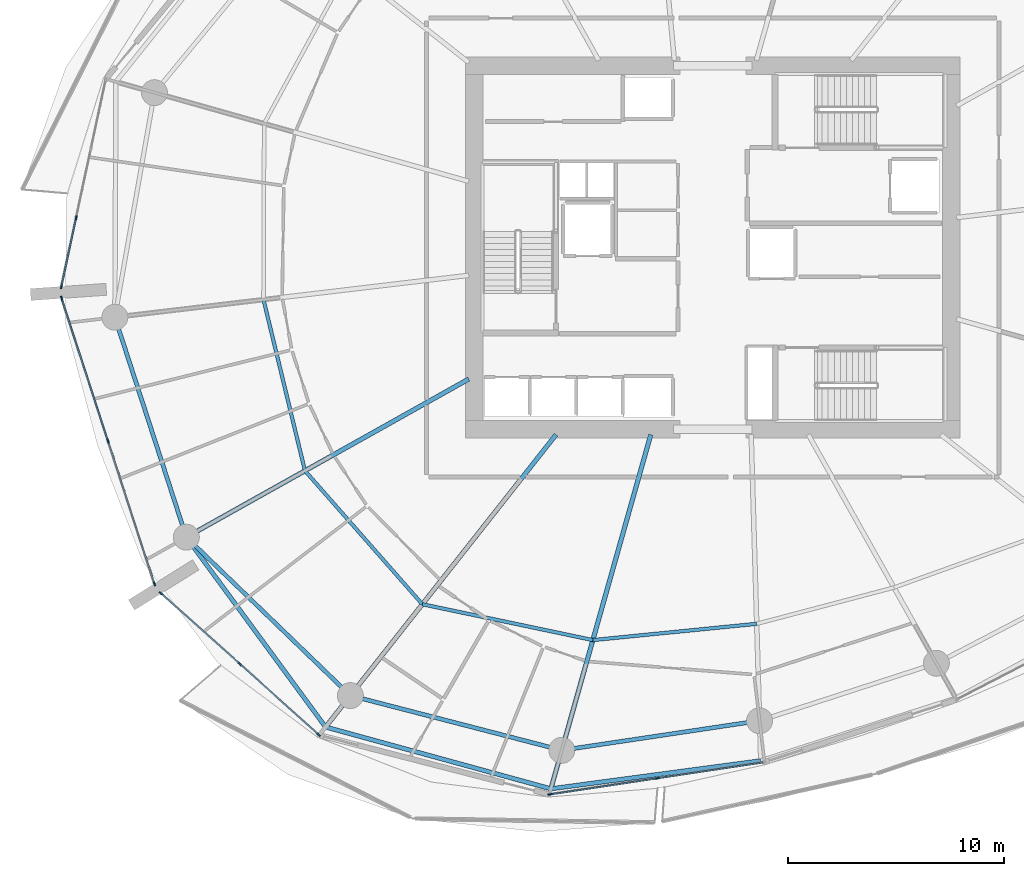
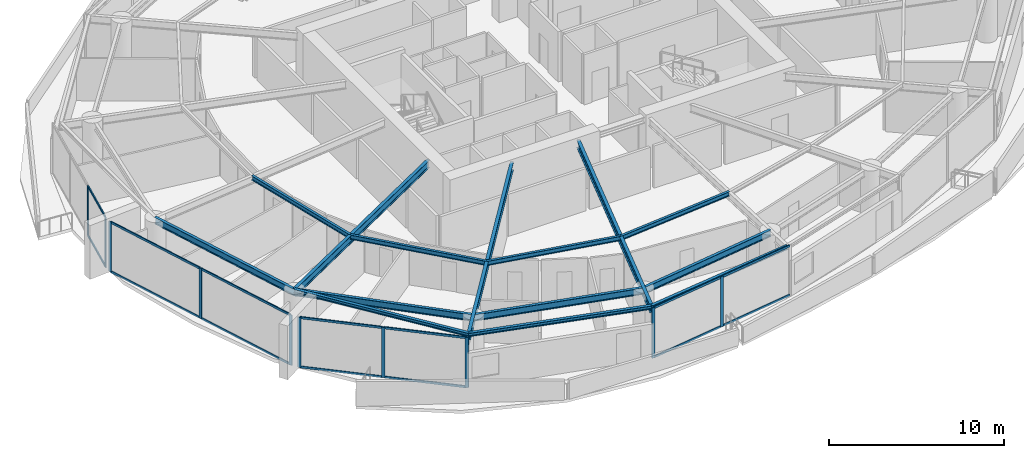
# One storey, part 5 of 22: 24 members, 14 beams, 4 elements without a shape of their own.
"""IFC4 building model written with IfcOpenShell, lengths in metres."""

from ifc_helpers import new_model, si_unit, direction, frame, origin, origin_2d, place, context, subcontext, project, spatial, rectangle, i_section, extrude, material, layer, layer_set, material_profile, profile_set, type_object, element, aggregate, save


model = new_model("IFC4")

# Units and contexts
model_context = context("Model", 3, precision=1e-05, world=origin(), true_north=direction((0.0, 1.0)))
body_context = subcontext(model_context, "Body", "Model", "MODEL_VIEW")
ifc_project = project(units=[si_unit("LENGTHUNIT", "METRE"), si_unit("AREAUNIT", "SQUARE_METRE"), si_unit("VOLUMEUNIT", "CUBIC_METRE"), si_unit("PLANEANGLEUNIT", "RADIAN"), si_unit("MASSUNIT", "GRAM", prefix="KILO")], contexts=[model_context])

# Site, building, storey
site_placement = place(None, origin())
site = spatial("IfcSite", under=ifc_project, at=site_placement, CompositionType="ELEMENT")
building_placement = place(site_placement, origin())
building = spatial("IfcBuilding", under=site, at=building_placement, Name="Kazma Halo Residences", CompositionType="ELEMENT")
storey_placement = place(building_placement, frame((0.0, 0.0, 93.89990234375)))
storey = spatial("IfcBuildingStorey", under=building, at=storey_placement, Name="L23", CompositionType="ELEMENT", Elevation=93.89990234375)

# Beams
ifc_material_1 = material(Name="Steel S355", Category="steel")
ifc_material_profile_1 = material_profile(ifc_material_1, i_section(OverallWidth=0.201904296875, OverallDepth=0.2470703125, WebThickness=0.00732421875, FlangeThickness=0.010986328125, FilletRadius=0.011962890625, at=origin_2d()), Name="W250x49.1")
ifc_profile_set_1 = profile_set([ifc_material_profile_1], Name="Steel S355")
beam_type_1 = type_object("IfcBeamType", Name="BM-BAL-CANT", PredefinedType="BEAM", material=ifc_profile_set_1)
beam_1_placement = place(storey_placement, frame((24.0966796875, 28.613525390625, 3.376708984375), z_axis=(0.59144927253, -0.806342209005, 0.0), x_axis=(0.806342209005, 0.59144927253, 0.0)))
element("IfcBeam", 1, at=beam_1_placement, inside=storey, type_object=beam_type_1, Name="L23 wave-balcony lead tie beam 09", PredefinedType="BEAM", context=body_context, shape_type="SweptSolid", body=[
    extrude(i_section(OverallWidth=0.201904296875, OverallDepth=0.2470703125, WebThickness=0.00732421875, FlangeThickness=0.010986328125, FilletRadius=0.011962890625, at=origin_2d()), origin(), (0.0, 0.0, 1.0), 10.87939453125),
])
beam_2_placement = place(storey_placement, frame((30.53125, 19.841064453125, 3.376708984375), z_axis=(0.964396617, -0.264460139, 0.0), x_axis=(0.264460139, 0.964396617, 0.0)))
element("IfcBeam", 2, at=beam_2_placement, inside=storey, type_object=beam_type_1, Name="L23 wave-balcony tie beam 10", PredefinedType="BEAM", context=body_context, shape_type="SweptSolid", body=[
    extrude(i_section(OverallWidth=0.201904296875, OverallDepth=0.2470703125, WebThickness=0.00732421875, FlangeThickness=0.010986328125, FilletRadius=0.011962890625, at=origin_2d()), origin(), (0.0, 0.0, 1.0), 10.79833984375),
])
beam_3_placement = place(storey_placement, frame((40.945068359375, 16.9853515625, 3.376708984375), z_axis=(0.991182511795, 0.13250369169, 0.0), x_axis=(-0.13250369169, 0.991182511795, 0.0)))
element("IfcBeam", 3, at=beam_3_placement, inside=storey, type_object=beam_type_1, Name="L23 wave-balcony tie beam 11", PredefinedType="BEAM", context=body_context, shape_type="SweptSolid", body=[
    extrude(i_section(OverallWidth=0.201904296875, OverallDepth=0.2470703125, WebThickness=0.00732421875, FlangeThickness=0.010986328125, FilletRadius=0.011962890625, at=origin_2d()), origin(), (0.0, 0.0, 1.0), 9.78369140625),
])
ifc_material_profile_2 = material_profile(ifc_material_1, i_section(OverallWidth=0.208984375, OverallDepth=0.532958984375, WebThickness=0.01025390625, FlangeThickness=0.015625, FilletRadius=0.01611328125, at=origin_2d()), Name="W530x92")
ifc_profile_set_2 = profile_set([ifc_material_profile_2], Name="Steel S355")
beam_type_2 = type_object("IfcBeamType", Name="BM-RAD-W530", PredefinedType="BEAM", material=ifc_profile_set_2)
beam_4_placement = place(storey_placement, frame((37.14990234375, 35.923583984375, 3.233642578125), z_axis=(-0.87249878074, -0.488616288724, 0.0), x_axis=(0.488616288724, -0.87249878074, 0.0)))
element("IfcBeam", 4, at=beam_4_placement, inside=storey, type_object=beam_type_2, Name="L23 radial floor beam 09", PredefinedType="BEAM", context=body_context, shape_type="SweptSolid", body=[
    extrude(i_section(OverallWidth=0.208984375, OverallDepth=0.532958984375, WebThickness=0.01025390625, FlangeThickness=0.015625, FilletRadius=0.01611328125, at=origin_2d()), origin(), (0.0, 0.0, 1.0), 14.960693359375),
])
beam_5_placement = place(storey_placement, frame((41.180908203125, 33.35009765625, 3.233642578125), z_axis=(-0.619093774822, -0.785317068436, 0.0), x_axis=(0.785317068436, -0.619093774822, 0.0)))
element("IfcBeam", 5, at=beam_5_placement, inside=storey, type_object=beam_type_2, Name="L23 radial floor beam 10", PredefinedType="BEAM", context=body_context, shape_type="SweptSolid", body=[
    extrude(i_section(OverallWidth=0.208984375, OverallDepth=0.532958984375, WebThickness=0.01025390625, FlangeThickness=0.015625, FilletRadius=0.01611328125, at=origin_2d()), origin(), (0.0, 0.0, 1.0), 17.201904296875),
])
beam_6_placement = place(storey_placement, frame((45.560302734375, 33.35009765625, 3.233642578125), z_axis=(-0.271434928076, -0.962456793742, 0.0), x_axis=(0.962456793742, -0.271434928076, 0.0)))
element("IfcBeam", 6, at=beam_6_placement, inside=storey, type_object=beam_type_2, Name="L23 radial floor beam 11", PredefinedType="BEAM", context=body_context, shape_type="SweptSolid", body=[
    extrude(i_section(OverallWidth=0.208984375, OverallDepth=0.532958984375, WebThickness=0.01025390625, FlangeThickness=0.015625, FilletRadius=0.01611328125, at=origin_2d()), origin(), (0.0, 0.0, 1.0), 17.003173828125),
])
ifc_material_profile_3 = material_profile(ifc_material_1, i_section(OverallWidth=0.1650390625, OverallDepth=0.31005859375, WebThickness=0.005859375, FlangeThickness=0.009765625, FilletRadius=0.011962890625, at=origin_2d()), Name="W310x38.7")
ifc_profile_set_3 = profile_set([ifc_material_profile_3], Name="Steel S355")
beam_type_3 = type_object("IfcBeamType", Name="BM-SEC-W310B", PredefinedType="JOIST", material=ifc_profile_set_3)
beam_7_placement = place(storey_placement, frame((27.6630859375, 39.593017578125, 3.34521484375), z_axis=(0.235442033286, -0.971888393264, 0.0), x_axis=(0.971888393264, 0.235442033286, 0.0)))
element("IfcBeam", 7, at=beam_7_placement, inside=storey, type_object=beam_type_3, Name="L23 circumferential floor joist 08", PredefinedType="JOIST", context=body_context, shape_type="SweptSolid", body=[
    extrude(i_section(OverallWidth=0.1650390625, OverallDepth=0.31005859375, WebThickness=0.005859375, FlangeThickness=0.009765625, FilletRadius=0.011962890625, at=origin_2d()), origin(), (0.0, 0.0, 1.0), 8.137939453125),
])
beam_8_placement = place(storey_placement, frame((29.5791015625, 31.683837890625, 3.34521484375), z_axis=(0.660379309564, -0.750932199003, 0.0), x_axis=(0.750932199003, 0.660379309564, 0.0)))
element("IfcBeam", 8, at=beam_8_placement, inside=storey, type_object=beam_type_3, Name="L23 circumferential floor joist 09", PredefinedType="JOIST", context=body_context, shape_type="SweptSolid", body=[
    extrude(i_section(OverallWidth=0.1650390625, OverallDepth=0.31005859375, WebThickness=0.005859375, FlangeThickness=0.009765625, FilletRadius=0.011962890625, at=origin_2d()), origin(), (0.0, 0.0, 1.0), 8.215087890625),
])
beam_9_placement = place(storey_placement, frame((35.004150390625, 25.514892578125, 3.34521484375), z_axis=(0.978607976751, -0.205733876255, 0.0), x_axis=(0.205733876255, 0.978607976751, 0.0)))
element("IfcBeam", 9, at=beam_9_placement, inside=storey, type_object=beam_type_3, Name="L23 circumferential floor joist 10", PredefinedType="JOIST", context=body_context, shape_type="SweptSolid", body=[
    extrude(i_section(OverallWidth=0.1650390625, OverallDepth=0.31005859375, WebThickness=0.005859375, FlangeThickness=0.009765625, FilletRadius=0.011962890625, at=origin_2d()), origin(), (0.0, 0.0, 1.0), 8.051513671875),
])
beam_10_placement = place(storey_placement, frame((42.883544921875, 23.8583984375, 3.34521484375), z_axis=(0.995106821048, 0.098804932586, 0.0), x_axis=(-0.098804932586, 0.995106821048, 0.0)))
element("IfcBeam", 10, at=beam_10_placement, inside=storey, type_object=beam_type_3, Name="L23 circumferential floor joist 11", PredefinedType="JOIST", context=body_context, shape_type="SweptSolid", body=[
    extrude(i_section(OverallWidth=0.1650390625, OverallDepth=0.31005859375, WebThickness=0.005859375, FlangeThickness=0.009765625, FilletRadius=0.011962890625, at=origin_2d()), origin(), (0.0, 0.0, 1.0), 7.610595703125),
])
ifc_material_profile_4 = material_profile(ifc_material_1, i_section(OverallWidth=0.18994140625, OverallDepth=0.45703125, WebThickness=0.009033203125, FlangeThickness=0.014404296875, FilletRadius=0.01611328125, at=origin_2d()), Name="W460x74")
ifc_profile_set_4 = profile_set([ifc_material_profile_4], Name="Steel S355")
beam_type_4 = type_object("IfcBeamType", Name="BM-SPN-W460", PredefinedType="BEAM", material=ifc_profile_set_4)
beam_11_placement = place(storey_placement, frame((20.79345703125, 38.77978515625, 3.271484375), z_axis=(0.309017385422, -0.951056389236, 0.0), x_axis=(0.951056389236, 0.309017385422, 0.0)))
element("IfcBeam", 11, at=beam_11_placement, inside=storey, type_object=beam_type_4, Name="L23 perimeter ring beam 08", PredefinedType="BEAM", context=body_context, shape_type="SweptSolid", body=[
    extrude(i_section(OverallWidth=0.18994140625, OverallDepth=0.45703125, WebThickness=0.009033203125, FlangeThickness=0.014404296875, FilletRadius=0.01611328125, at=origin_2d()), origin(), (0.0, 0.0, 1.0), 10.689453125),
])
beam_12_placement = place(storey_placement, frame((24.0966796875, 28.613525390625, 3.271484375), z_axis=(0.719336783114, -0.694661494873, 0.0), x_axis=(0.694661494873, 0.719336783114, 0.0)))
element("IfcBeam", 12, at=beam_12_placement, inside=storey, type_object=beam_type_4, Name="L23 perimeter ring beam 09", PredefinedType="BEAM", context=body_context, shape_type="SweptSolid", body=[
    extrude(i_section(OverallWidth=0.18994140625, OverallDepth=0.45703125, WebThickness=0.009033203125, FlangeThickness=0.014404296875, FilletRadius=0.01611328125, at=origin_2d()), origin(), (0.0, 0.0, 1.0), 10.537353515625),
])
beam_13_placement = place(storey_placement, frame((31.676513671875, 21.293701171875, 3.271484375), z_axis=(0.968124968683, -0.250467652626, 0.0), x_axis=(0.250467652626, 0.968124968683, 0.0)))
element("IfcBeam", 13, at=beam_13_placement, inside=storey, type_object=beam_type_4, Name="L23 perimeter ring beam 10", PredefinedType="BEAM", context=body_context, shape_type="SweptSolid", body=[
    extrude(i_section(OverallWidth=0.18994140625, OverallDepth=0.45703125, WebThickness=0.009033203125, FlangeThickness=0.014404296875, FilletRadius=0.01611328125, at=origin_2d()), origin(), (0.0, 0.0, 1.0), 10.092529296875),
])
beam_14_placement = place(storey_placement, frame((41.447265625, 18.765869140625, 3.271484375), z_axis=(0.989034176303, 0.147686824414, 0.0), x_axis=(-0.147686824414, 0.989034176303, 0.0)))
element("IfcBeam", 14, at=beam_14_placement, inside=storey, type_object=beam_type_4, Name="L23 perimeter ring beam 11", PredefinedType="BEAM", context=body_context, shape_type="SweptSolid", body=[
    extrude(i_section(OverallWidth=0.18994140625, OverallDepth=0.45703125, WebThickness=0.009033203125, FlangeThickness=0.014404296875, FilletRadius=0.01611328125, at=origin_2d()), origin(), (0.0, 0.0, 1.0), 9.242431640625),
])

# Curtain wall, members
ifc_material_2 = material(Name="Aluminium AW-6063 T6 and Triple-Silver Low-E Glass", Category="aluminium")
ifc_layer = layer(ifc_material_2, 0.199951171875)
ifc_layer_set = layer_set([ifc_layer], Name="Aluminium AW-6063 T6 and Triple-Silver Low-E Glass")
curtain_wall_type = type_object("IfcCurtainWallType", Name="CW-SYS-3", PredefinedType="NOTDEFINED", material=ifc_layer_set)
curtain_wall_1_placement = place(storey_placement, origin())
curtain_wall_1 = element("IfcCurtainWall", 15, at=curtain_wall_1_placement, inside=storey, type_object=curtain_wall_type, Name="L23 unitised curtain wall B07", PredefinedType="NOTDEFINED")
ifc_material_3 = material(Name="Aluminium AW-6063 T6", Category="aluminium")
ifc_material_profile_5 = material_profile(ifc_material_3, rectangle(XDim=0.070068359375, YDim=0.199951171875, at=origin_2d()), Name="CWM-70x200")
ifc_profile_set_5 = profile_set([ifc_material_profile_5], Name="Aluminium AW-6063 T6")
member_type_1 = type_object("IfcMemberType", Name="CW-SYS-3-MUL", PredefinedType="MULLION", material=ifc_profile_set_5)
member_1_placement = place(storey_placement, frame((19.004638671875, 43.36865234375, 0.0), z_axis=(0.0, 0.0, 1.0), x_axis=(0.977774176093, -0.209660822677, 0.0)))
member_1 = element("IfcMember", 16, at=member_1_placement, type_object=member_type_1, Name="CWS-3 mullion 3", PredefinedType="MULLION", context=body_context, shape_type="SweptSolid", body=[
    extrude(rectangle(XDim=0.070068359375, YDim=0.199951171875, at=origin_2d()), origin(), (0.0, 0.0, 1.0), 3.5),
])
member_2_placement = place(storey_placement, frame((18.323486328125, 40.192626953125, 0.0), z_axis=(0.0, 0.0, 1.0), x_axis=(0.977774176093, -0.209660822677, 0.0)))
member_2 = element("IfcMember", 17, at=member_2_placement, type_object=member_type_1, Name="CWS-3 mullion 4", PredefinedType="MULLION", context=body_context, shape_type="SweptSolid", body=[
    extrude(rectangle(XDim=0.070068359375, YDim=0.199951171875, at=origin_2d()), origin(), (0.0, 0.0, 1.0), 3.5),
])

curtain_wall_2_placement = place(storey_placement, origin())
curtain_wall_2 = element("IfcCurtainWall", 18, at=curtain_wall_2_placement, inside=storey, type_object=curtain_wall_type, Name="L23 unitised curtain wall B08", PredefinedType="NOTDEFINED")
member_3_placement = place(storey_placement, frame((18.334716796875, 39.6572265625, 0.0), z_axis=(0.0, 0.0, 1.0), x_axis=(0.951057722508, 0.309013282008, 0.0)))
member_3 = element("IfcMember", 19, at=member_3_placement, type_object=member_type_1, Name="CWS-3 mullion 1", PredefinedType="MULLION", context=body_context, shape_type="SweptSolid", body=[
    extrude(rectangle(XDim=0.070068359375, YDim=0.199951171875, at=origin_2d()), origin(), (0.0, 0.0, 1.0), 3.5),
])
member_4_placement = place(storey_placement, frame((20.47900390625, 33.057861328125, 0.0), z_axis=(0.0, 0.0, 1.0), x_axis=(0.951057722508, 0.309013282008, 0.0)))
member_4 = element("IfcMember", 20, at=member_4_placement, type_object=member_type_1, Name="CWS-3 mullion 2", PredefinedType="MULLION", context=body_context, shape_type="SweptSolid", body=[
    extrude(rectangle(XDim=0.070068359375, YDim=0.199951171875, at=origin_2d()), origin(), (0.0, 0.0, 1.0), 3.5),
])
member_5_placement = place(storey_placement, frame((22.623291015625, 26.45849609375, 0.0), z_axis=(0.0, 0.0, 1.0), x_axis=(0.951057722508, 0.309013282008, 0.0)))
member_5 = element("IfcMember", 21, at=member_5_placement, type_object=member_type_1, Name="CWS-3 mullion 3", PredefinedType="MULLION", context=body_context, shape_type="SweptSolid", body=[
    extrude(rectangle(XDim=0.070068359375, YDim=0.199951171875, at=origin_2d()), origin(), (0.0, 0.0, 1.0), 3.5),
])

curtain_wall_3_placement = place(storey_placement, origin())
curtain_wall_3 = element("IfcCurtainWall", 22, at=curtain_wall_3_placement, inside=storey, type_object=curtain_wall_type, Name="L23 unitised curtain wall B09", PredefinedType="NOTDEFINED")
member_6_placement = place(storey_placement, frame((22.928955078125, 26.018798828125, 0.0), z_axis=(0.0, 0.0, 1.0), x_axis=(0.667794957375, 0.744345279359, 0.0)))
member_6 = element("IfcMember", 23, at=member_6_placement, type_object=member_type_1, Name="CWS-3 mullion 1", PredefinedType="MULLION", context=body_context, shape_type="SweptSolid", body=[
    extrude(rectangle(XDim=0.070068359375, YDim=0.199951171875, at=origin_2d()), origin(), (0.0, 0.0, 1.0), 3.5),
])
member_7_placement = place(storey_placement, frame((26.568603515625, 22.75341796875, 0.0), z_axis=(0.0, 0.0, 1.0), x_axis=(0.667794957375, 0.744345279359, 0.0)))
member_7 = element("IfcMember", 24, at=member_7_placement, type_object=member_type_1, Name="CWS-3 mullion 2", PredefinedType="MULLION", context=body_context, shape_type="SweptSolid", body=[
    extrude(rectangle(XDim=0.070068359375, YDim=0.199951171875, at=origin_2d()), origin(), (0.0, 0.0, 1.0), 3.5),
])
member_8_placement = place(storey_placement, frame((30.208251953125, 19.48779296875, 0.0), z_axis=(0.0, 0.0, 1.0), x_axis=(0.667794957375, 0.744345279359, 0.0)))
member_8 = element("IfcMember", 25, at=member_8_placement, type_object=member_type_1, Name="CWS-3 mullion 3", PredefinedType="MULLION", context=body_context, shape_type="SweptSolid", body=[
    extrude(rectangle(XDim=0.070068359375, YDim=0.199951171875, at=origin_2d()), origin(), (0.0, 0.0, 1.0), 3.5),
])

curtain_wall_4_placement = place(storey_placement, origin())
curtain_wall_4 = element("IfcCurtainWall", 26, at=curtain_wall_4_placement, inside=storey, type_object=curtain_wall_type, Name="L23 unitised curtain wall B11", PredefinedType="NOTDEFINED")
member_9_placement = place(storey_placement, frame((40.90576171875, 16.728271484375, 0.0), z_axis=(0.0, 0.0, 1.0), x_axis=(-0.148717330409, 0.988879747814, 0.0)))
member_9 = element("IfcMember", 27, at=member_9_placement, type_object=member_type_1, Name="CWS-3 mullion 1", PredefinedType="MULLION", context=body_context, shape_type="SweptSolid", body=[
    extrude(rectangle(XDim=0.070068359375, YDim=0.199951171875, at=origin_2d()), origin(), (0.0, 0.0, 1.0), 3.5),
])
member_10_placement = place(storey_placement, frame((45.843017578125, 17.470703125, 0.0), z_axis=(0.0, 0.0, 1.0), x_axis=(-0.148717330409, 0.988879747814, 0.0)))
member_10 = element("IfcMember", 28, at=member_10_placement, type_object=member_type_1, Name="CWS-3 mullion 2", PredefinedType="MULLION", context=body_context, shape_type="SweptSolid", body=[
    extrude(rectangle(XDim=0.070068359375, YDim=0.199951171875, at=origin_2d()), origin(), (0.0, 0.0, 1.0), 3.5),
])

# Member
ifc_material_profile_6 = material_profile(ifc_material_3, rectangle(XDim=0.070068359375, YDim=0.14990234375, at=origin_2d()), Name="CWT-70x150")
ifc_profile_set_6 = profile_set([ifc_material_profile_6], Name="Aluminium AW-6063 T6")
member_type_2 = type_object("IfcMemberType", Name="CW-SYS-3-TRN", PredefinedType="USERDEFINED", material=ifc_profile_set_6)
member_11_placement = place(storey_placement, frame((18.997314453125, 43.33447265625, 0.03515625), z_axis=(-0.209717949017, -0.977761924939, 0.0), x_axis=(0.977761924939, -0.209717949017, 0.0)))
member_11 = element("IfcMember", 29, at=member_11_placement, type_object=member_type_2, Name="CWS-3 transom 3.1", ObjectType="TRANSOM", PredefinedType="USERDEFINED", context=body_context, shape_type="SweptSolid", body=[
    extrude(rectangle(XDim=0.070068359375, YDim=0.14990234375, at=origin_2d()), origin(), (0.0, 0.0, 1.0), 3.177978515625),
])

member_12_placement = place(storey_placement, frame((18.997314453125, 43.33447265625, 3.465087890625), z_axis=(-0.209717949017, -0.977761924939, 0.0), x_axis=(0.977761924939, -0.209717949017, 0.0)))
member_12 = element("IfcMember", 30, at=member_12_placement, type_object=member_type_2, Name="CWS-3 transom 3.2", ObjectType="TRANSOM", PredefinedType="USERDEFINED", context=body_context, shape_type="SweptSolid", body=[
    extrude(rectangle(XDim=0.070068359375, YDim=0.14990234375, at=origin_2d()), origin(), (0.0, 0.0, 1.0), 3.177978515625),
])

aggregate(curtain_wall_1, [member_1, member_2, member_11, member_12])

member_13_placement = place(storey_placement, frame((18.345458984375, 39.6240234375, 0.03515625), z_axis=(0.309000079699, -0.95106201204, 0.0), x_axis=(0.95106201204, 0.309000079699, 0.0)))
member_13 = element("IfcMember", 31, at=member_13_placement, type_object=member_type_2, Name="CWS-3 transom 1.1", ObjectType="TRANSOM", PredefinedType="USERDEFINED", context=body_context, shape_type="SweptSolid", body=[
    extrude(rectangle(XDim=0.070068359375, YDim=0.14990234375, at=origin_2d()), origin(), (0.0, 0.0, 1.0), 6.869140625),
])

member_14_placement = place(storey_placement, frame((18.345458984375, 39.6240234375, 3.465087890625), z_axis=(0.309000079699, -0.95106201204, 0.0), x_axis=(0.95106201204, 0.309000079699, 0.0)))
member_14 = element("IfcMember", 32, at=member_14_placement, type_object=member_type_2, Name="CWS-3 transom 1.2", ObjectType="TRANSOM", PredefinedType="USERDEFINED", context=body_context, shape_type="SweptSolid", body=[
    extrude(rectangle(XDim=0.070068359375, YDim=0.14990234375, at=origin_2d()), origin(), (0.0, 0.0, 1.0), 6.869140625),
])

member_15_placement = place(storey_placement, frame((20.48974609375, 33.024658203125, 0.03515625), z_axis=(0.309000079699, -0.95106201204, 0.0), x_axis=(0.95106201204, 0.309000079699, 0.0)))
member_15 = element("IfcMember", 33, at=member_15_placement, type_object=member_type_2, Name="CWS-3 transom 2.1", ObjectType="TRANSOM", PredefinedType="USERDEFINED", context=body_context, shape_type="SweptSolid", body=[
    extrude(rectangle(XDim=0.070068359375, YDim=0.14990234375, at=origin_2d()), origin(), (0.0, 0.0, 1.0), 6.869140625),
])

member_16_placement = place(storey_placement, frame((20.48974609375, 33.024658203125, 3.465087890625), z_axis=(0.309000079699, -0.95106201204, 0.0), x_axis=(0.95106201204, 0.309000079699, 0.0)))
member_16 = element("IfcMember", 34, at=member_16_placement, type_object=member_type_2, Name="CWS-3 transom 2.2", ObjectType="TRANSOM", PredefinedType="USERDEFINED", context=body_context, shape_type="SweptSolid", body=[
    extrude(rectangle(XDim=0.070068359375, YDim=0.14990234375, at=origin_2d()), origin(), (0.0, 0.0, 1.0), 6.869140625),
])

aggregate(curtain_wall_2, [member_3, member_4, member_5, member_13, member_14, member_15, member_16])

member_17_placement = place(storey_placement, frame((22.954833984375, 25.995361328125, 0.03515625), z_axis=(0.744338471453, -0.667802545603, 0.0), x_axis=(0.667802545603, 0.744338471453, 0.0)))
member_17 = element("IfcMember", 35, at=member_17_placement, type_object=member_type_2, Name="CWS-3 transom 1.1", ObjectType="TRANSOM", PredefinedType="USERDEFINED", context=body_context, shape_type="SweptSolid", body=[
    extrude(rectangle(XDim=0.070068359375, YDim=0.14990234375, at=origin_2d()), origin(), (0.0, 0.0, 1.0), 4.81982421875),
])

member_18_placement = place(storey_placement, frame((22.954833984375, 25.995361328125, 3.465087890625), z_axis=(0.744338471453, -0.667802545603, 0.0), x_axis=(0.667802545603, 0.744338471453, 0.0)))
member_18 = element("IfcMember", 36, at=member_18_placement, type_object=member_type_2, Name="CWS-3 transom 1.2", ObjectType="TRANSOM", PredefinedType="USERDEFINED", context=body_context, shape_type="SweptSolid", body=[
    extrude(rectangle(XDim=0.070068359375, YDim=0.14990234375, at=origin_2d()), origin(), (0.0, 0.0, 1.0), 4.81982421875),
])

member_19_placement = place(storey_placement, frame((26.5947265625, 22.72998046875, 0.03515625), z_axis=(0.744338471453, -0.667802545603, 0.0), x_axis=(0.667802545603, 0.744338471453, 0.0)))
member_19 = element("IfcMember", 37, at=member_19_placement, type_object=member_type_2, Name="CWS-3 transom 2.1", ObjectType="TRANSOM", PredefinedType="USERDEFINED", context=body_context, shape_type="SweptSolid", body=[
    extrude(rectangle(XDim=0.070068359375, YDim=0.14990234375, at=origin_2d()), origin(), (0.0, 0.0, 1.0), 4.81982421875),
])

member_20_placement = place(storey_placement, frame((26.5947265625, 22.72998046875, 3.465087890625), z_axis=(0.744338471453, -0.667802545603, 0.0), x_axis=(0.667802545603, 0.744338471453, 0.0)))
member_20 = element("IfcMember", 38, at=member_20_placement, type_object=member_type_2, Name="CWS-3 transom 2.2", ObjectType="TRANSOM", PredefinedType="USERDEFINED", context=body_context, shape_type="SweptSolid", body=[
    extrude(rectangle(XDim=0.070068359375, YDim=0.14990234375, at=origin_2d()), origin(), (0.0, 0.0, 1.0), 4.81982421875),
])

aggregate(curtain_wall_3, [member_6, member_7, member_8, member_17, member_18, member_19, member_20])

member_21_placement = place(storey_placement, frame((40.9404296875, 16.7333984375, 0.03515625), z_axis=(0.988876977991, 0.148735746878, 0.0), x_axis=(-0.148735746878, 0.988876977991, 0.0)))
member_21 = element("IfcMember", 39, at=member_21_placement, type_object=member_type_2, Name="CWS-3 transom 1.1", ObjectType="TRANSOM", PredefinedType="USERDEFINED", context=body_context, shape_type="SweptSolid", body=[
    extrude(rectangle(XDim=0.070068359375, YDim=0.14990234375, at=origin_2d()), origin(), (0.0, 0.0, 1.0), 4.922607421875),
])

member_22_placement = place(storey_placement, frame((40.9404296875, 16.7333984375, 3.465087890625), z_axis=(0.988876977991, 0.148735746878, 0.0), x_axis=(-0.148735746878, 0.988876977991, 0.0)))
member_22 = element("IfcMember", 40, at=member_22_placement, type_object=member_type_2, Name="CWS-3 transom 1.2", ObjectType="TRANSOM", PredefinedType="USERDEFINED", context=body_context, shape_type="SweptSolid", body=[
    extrude(rectangle(XDim=0.070068359375, YDim=0.14990234375, at=origin_2d()), origin(), (0.0, 0.0, 1.0), 4.922607421875),
])

member_23_placement = place(storey_placement, frame((45.87744140625, 17.47607421875, 0.03515625), z_axis=(0.988884271372, 0.148687248386, 0.0), x_axis=(-0.148687248386, 0.988884271372, 0.0)))
member_23 = element("IfcMember", 41, at=member_23_placement, type_object=member_type_2, Name="CWS-3 transom 2.1", ObjectType="TRANSOM", PredefinedType="USERDEFINED", context=body_context, shape_type="SweptSolid", body=[
    extrude(rectangle(XDim=0.070068359375, YDim=0.14990234375, at=origin_2d()), origin(), (0.0, 0.0, 1.0), 4.922607421875),
])

member_24_placement = place(storey_placement, frame((45.87744140625, 17.47607421875, 3.465087890625), z_axis=(0.988884271372, 0.148687248386, 0.0), x_axis=(-0.148687248386, 0.988884271372, 0.0)))
member_24 = element("IfcMember", 42, at=member_24_placement, type_object=member_type_2, Name="CWS-3 transom 2.2", ObjectType="TRANSOM", PredefinedType="USERDEFINED", context=body_context, shape_type="SweptSolid", body=[
    extrude(rectangle(XDim=0.070068359375, YDim=0.14990234375, at=origin_2d()), origin(), (0.0, 0.0, 1.0), 4.922607421875),
])

aggregate(curtain_wall_4, [member_9, member_10, member_21, member_22, member_23, member_24])

save(model, "model.ifc")
